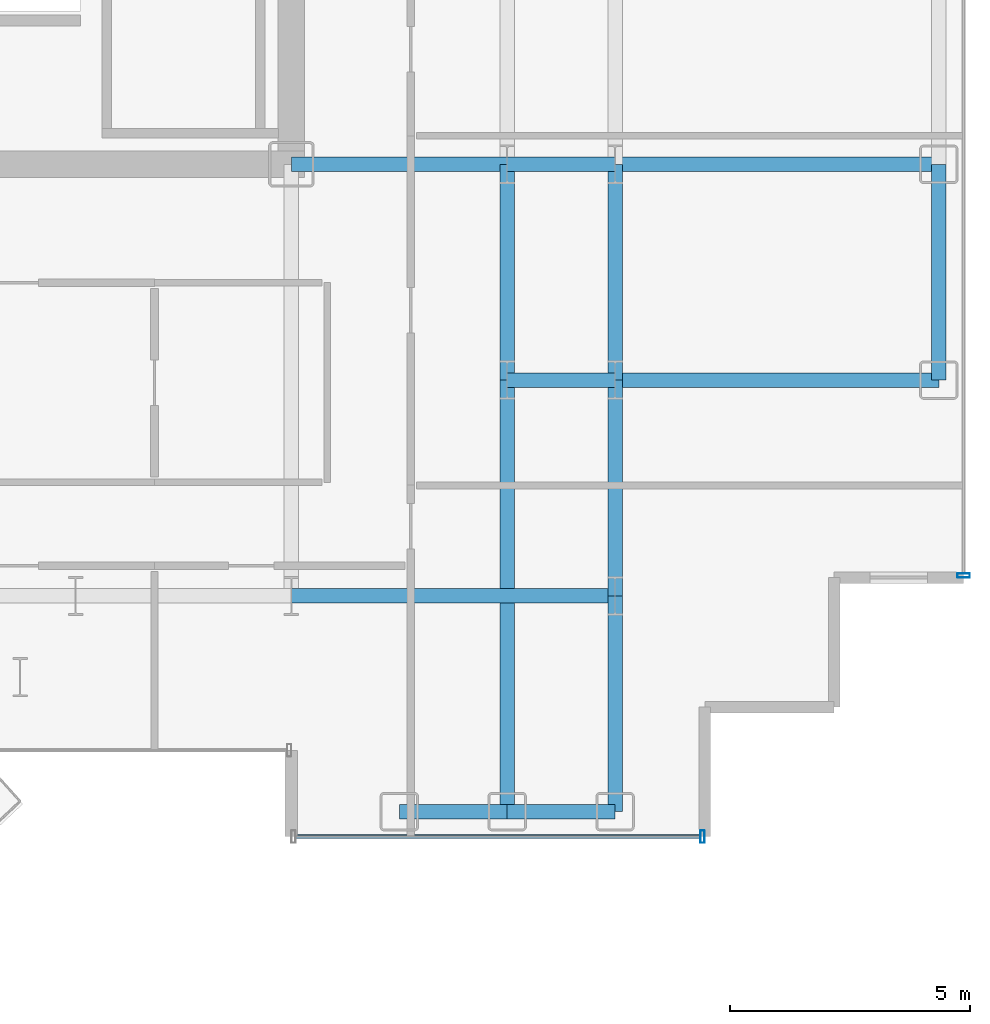
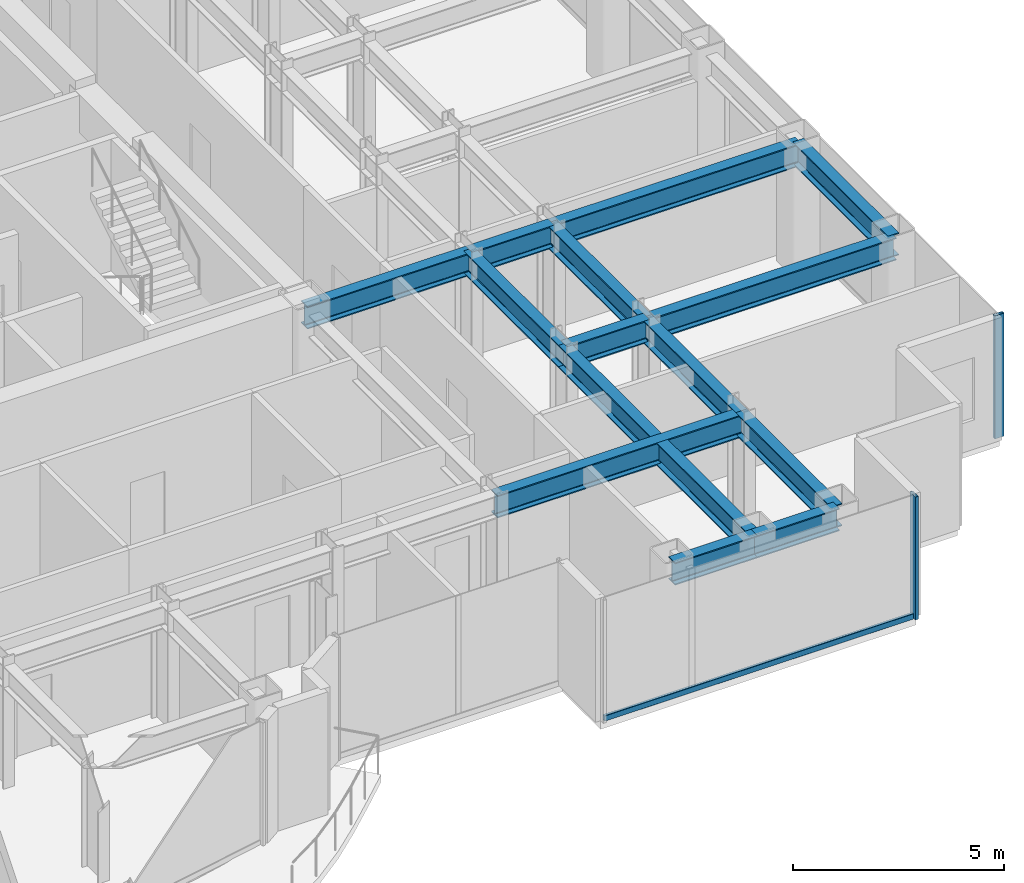
# One storey, part 8 of 23: 14 beams, 3 members, 2 elements without a shape of their own.
"""IFC4 building model written with IfcOpenShell, lengths in metres."""

from ifc_helpers import new_model, si_unit, direction, frame, origin, origin_2d, place, context, subcontext, project, spatial, hollow_rectangle, i_section, extrude, source, transform, mapped, material, layer, layer_set, material_profile, profile_set, type_object, element, aggregate, save


model = new_model("IFC4")

# Units and contexts
model_context = context("Model", 3, precision=1e-05, world=origin(), true_north=direction((0.0, 1.0)))
body_context = subcontext(model_context, "Body", "Model", "MODEL_VIEW")
ifc_project = project(units=[si_unit("LENGTHUNIT", "METRE"), si_unit("AREAUNIT", "SQUARE_METRE"), si_unit("VOLUMEUNIT", "CUBIC_METRE"), si_unit("PLANEANGLEUNIT", "RADIAN"), si_unit("MASSUNIT", "GRAM", prefix="KILO")], contexts=[model_context])

# Site, building, storey
site_placement = place(None, origin())
site = spatial("IfcSite", under=ifc_project, at=site_placement, CompositionType="ELEMENT")
building_placement = place(site_placement, origin())
building = spatial("IfcBuilding", under=site, at=building_placement, Name="Nefas-Gora Pilgrimage Tower", CompositionType="ELEMENT")
storey_placement = place(building_placement, frame((0.0, 0.0, 156.39990234375)))
storey = spatial("IfcBuildingStorey", under=building, at=storey_placement, Name="L38", CompositionType="ELEMENT", Elevation=156.39990234375)

# Beams
ifc_material_1 = material(Name="Steel S355", Category="steel")
ifc_material_profile_1 = material_profile(ifc_material_1, i_section(OverallWidth=0.300048828125, OverallDepth=0.64990234375, WebThickness=0.01611328125, FlangeThickness=0.031005859375, FilletRadius=0.027099609375, at=origin_2d()), Name="HEB 650")
ifc_profile_set_1 = profile_set([ifc_material_profile_1], Name="Steel S355")
beam_type_1 = type_object("IfcBeamType", Name="BM-SPN-HEB500", PredefinedType="SPANDREL", material=ifc_profile_set_1)
shared_shape_1 = source(origin(), body_context, "Body", "SweptSolid", [
    extrude(i_section(OverallWidth=0.300048828125, OverallDepth=0.64990234375, WebThickness=0.01611328125, FlangeThickness=0.031005859375, FilletRadius=0.027099609375, at=origin_2d()), origin(), (0.0, 0.0, 1.0), 4.5),
])
beam_1_placement = place(storey_placement, frame((24.75, -13.5, 3.22509765625), z_axis=(0.0, 1.0, 0.0), x_axis=(-1.0, 0.0, 0.0)))
element("IfcBeam", 1, at=beam_1_placement, inside=storey, type_object=beam_type_1, Name="L38 SP-02 beam", PredefinedType="SPANDREL", context=body_context, shape_type="MappedRepresentation", body=[
    mapped(shared_shape_1, transform((0.0, 0.0, 0.0), x_axis=(1.0, 0.0, 0.0), y_axis=(0.0, 1.0, 0.0), z_axis=(0.0, 0.0, 1.0), scale=1.0)),
])
ifc_material_profile_2 = material_profile(ifc_material_1, i_section(OverallWidth=0.300048828125, OverallDepth=0.64990234375, WebThickness=0.01611328125, FlangeThickness=0.031005859375, FilletRadius=0.027099609375, at=origin_2d()), Name="HEB 650")
ifc_profile_set_2 = profile_set([ifc_material_profile_2], Name="Steel S355")
beam_type_2 = type_object("IfcBeamType", Name="BM-GIR-HEB650", PredefinedType="BEAM", material=ifc_profile_set_2)
shared_shape_2 = source(origin(), body_context, "Body", "SweptSolid", [
    extrude(i_section(OverallWidth=0.300048828125, OverallDepth=0.64990234375, WebThickness=0.01611328125, FlangeThickness=0.031005859375, FilletRadius=0.027099609375, at=origin_2d()), origin(), (0.0, 0.0, 1.0), 9.0),
])
beam_2_placement = place(storey_placement, frame((15.75, -22.5, 3.22509765625), z_axis=(0.0, 1.0, 0.0), x_axis=(-1.0, 0.0, 0.0)))
element("IfcBeam", 2, at=beam_2_placement, inside=storey, type_object=beam_type_2, Name="L38 G-03 beam", PredefinedType="BEAM", context=body_context, shape_type="MappedRepresentation", body=[
    mapped(shared_shape_2, transform((0.0, 0.0, 0.0), x_axis=(1.0, 0.0, 0.0), y_axis=(0.0, 1.0, 0.0), z_axis=(0.0, 0.0, 1.0), scale=1.0)),
])
shared_shape_3 = source(origin(), body_context, "Body", "SweptSolid", [
    extrude(i_section(OverallWidth=0.300048828125, OverallDepth=0.64990234375, WebThickness=0.01611328125, FlangeThickness=0.031005859375, FilletRadius=0.027099609375, at=origin_2d()), origin(), (0.0, 0.0, 1.0), 4.5),
])
for number, where, z_axis, x_axis, name in (
    (3, (11.25, -9.0, 3.22509765625), (1.0, 0.0, 0.0), (0.0, 1.0, 0.0), "L38 G-03 beam"),
    (4, (15.75, -13.5, 3.22509765625), (0.0, 1.0, 0.0), (-1.0, 0.0, 0.0), "L38 G-03 beam"),
    (5, (18.0, -22.5, 3.22509765625), (0.0, 1.0, 0.0), (-1.0, 0.0, 0.0), "L38 G-03 beam"),
    (6, (18.0, -18.0, 3.22509765625), (0.0, 1.0, 0.0), (-1.0, 0.0, 0.0), "L38 G-03 beam"),
    (7, (18.0, -13.5, 3.22509765625), (0.0, 1.0, 0.0), (-1.0, 0.0, 0.0), "L38 G-03 beam"),
):
    element("IfcBeam", number, at=place(storey_placement, frame(where, z_axis=z_axis, x_axis=x_axis)), inside=storey, type_object=beam_type_2, Name=name, PredefinedType="BEAM", context=body_context, shape_type="MappedRepresentation", body=[
        mapped(shared_shape_3, transform((0.0, 0.0, 0.0), x_axis=(1.0, 0.0, 0.0), y_axis=(0.0, 1.0, 0.0), z_axis=(0.0, 0.0, 1.0), scale=1.0)),
    ])
shared_shape_4 = source(origin(), body_context, "Body", "SweptSolid", [
    extrude(i_section(OverallWidth=0.300048828125, OverallDepth=0.64990234375, WebThickness=0.01611328125, FlangeThickness=0.031005859375, FilletRadius=0.027099609375, at=origin_2d()), origin(), (0.0, 0.0, 1.0), 6.75),
])
for number, where, z_axis, x_axis, name in (
    (8, (11.25, -18.0, 3.22509765625), (1.0, 0.0, 0.0), (0.0, 1.0, 0.0), "L38 G-03 beam"),
    (9, (18.0, -13.5, 3.22509765625), (1.0, 0.0, 0.0), (0.0, 1.0, 0.0), "L38 G-03 beam"),
    (10, (18.0, -9.0, 3.22509765625), (1.0, 0.0, 0.0), (0.0, 1.0, 0.0), "L38 G-03 beam"),
):
    element("IfcBeam", number, at=place(storey_placement, frame(where, z_axis=z_axis, x_axis=x_axis)), inside=storey, type_object=beam_type_2, Name=name, PredefinedType="BEAM", context=body_context, shape_type="MappedRepresentation", body=[
        mapped(shared_shape_4, transform((0.0, 0.0, 0.0), x_axis=(1.0, 0.0, 0.0), y_axis=(0.0, 1.0, 0.0), z_axis=(0.0, 0.0, 1.0), scale=1.0)),
    ])
shared_shape_5 = source(origin(), body_context, "Body", "SweptSolid", [
    extrude(i_section(OverallWidth=0.300048828125, OverallDepth=0.64990234375, WebThickness=0.01611328125, FlangeThickness=0.031005859375, FilletRadius=0.027099609375, at=origin_2d()), origin(), (0.0, 0.0, 1.0), 2.25),
])
for number, where, z_axis, x_axis, name in (
    (11, (13.5, -22.5, 3.22509765625), (1.0, 0.0, 0.0), (0.0, 1.0, 0.0), "L38 SP-02 beam"),
    (12, (15.75, -22.5, 3.22509765625), (1.0, 0.0, 0.0), (0.0, 1.0, 0.0), "L38 SP-02 beam"),
):
    element("IfcBeam", number, at=place(storey_placement, frame(where, z_axis=z_axis, x_axis=x_axis)), inside=storey, type_object=beam_type_1, Name=name, PredefinedType="SPANDREL", context=body_context, shape_type="MappedRepresentation", body=[
        mapped(shared_shape_5, transform((0.0, 0.0, 0.0), x_axis=(1.0, 0.0, 0.0), y_axis=(0.0, 1.0, 0.0), z_axis=(0.0, 0.0, 1.0), scale=1.0)),
    ])
shared_shape_6 = source(origin(), body_context, "Body", "SweptSolid", [
    extrude(i_section(OverallWidth=0.300048828125, OverallDepth=0.64990234375, WebThickness=0.01611328125, FlangeThickness=0.031005859375, FilletRadius=0.027099609375, at=origin_2d()), origin(), (0.0, 0.0, 1.0), 2.25),
])
for number, where, z_axis, x_axis, name in (
    (13, (15.75, -13.5, 3.22509765625), (1.0, 0.0, 0.0), (0.0, 1.0, 0.0), "L38 G-03 beam"),
    (14, (15.75, -9.0, 3.22509765625), (1.0, 0.0, 0.0), (0.0, 1.0, 0.0), "L38 G-03 beam"),
):
    element("IfcBeam", number, at=place(storey_placement, frame(where, z_axis=z_axis, x_axis=x_axis)), inside=storey, type_object=beam_type_2, Name=name, PredefinedType="BEAM", context=body_context, shape_type="MappedRepresentation", body=[
        mapped(shared_shape_6, transform((0.0, 0.0, 0.0), x_axis=(1.0, 0.0, 0.0), y_axis=(0.0, 1.0, 0.0), z_axis=(0.0, 0.0, 1.0), scale=1.0)),
    ])

# Curtain wall, member
ifc_material_2 = material(Name="Dark ceramic-fritted solar-control aluminium-glass curtain wall", Category="aluminium")
ifc_layer = layer(ifc_material_2, 0.219970703125)
ifc_layer_set = layer_set([ifc_layer], Name="Dark ceramic-fritted solar-control aluminium-glass curtain wall")
curtain_wall_type = type_object("IfcCurtainWallType", Name="CW-SYS-3", PredefinedType="NOTDEFINED", material=ifc_layer_set)
curtain_wall_1_placement = place(storey_placement, origin())
curtain_wall_1 = element("IfcCurtainWall", 15, at=curtain_wall_1_placement, inside=storey, type_object=curtain_wall_type, Name="L38 Unitised Curtain Wall CW3", PredefinedType="NOTDEFINED")
ifc_material_3 = material(Name="Anodised architectural aluminium", Category="aluminium")
ifc_material_profile_3 = material_profile(ifc_material_3, hollow_rectangle(XDim=0.090087890625, YDim=0.260009765625, WallThickness=0.006103515625, InnerFilletRadius=0.006103515625, OuterFilletRadius=0.011962890625, at=origin_2d()), Name="ALU MULLION 90x260")
ifc_profile_set_3 = profile_set([ifc_material_profile_3], Name="Anodised architectural aluminium")
member_type_1 = type_object("IfcMemberType", Name="CWM-MUL-3", PredefinedType="MULLION", material=ifc_profile_set_3)
shared_shape_7 = source(origin(), body_context, "Body", "SweptSolid", [
    extrude(hollow_rectangle(XDim=0.090087890625, YDim=0.260009765625, WallThickness=0.006103515625, InnerFilletRadius=0.006103515625, OuterFilletRadius=0.011962890625, at=origin_2d()), origin(), (0.0, 0.0, 1.0), 3.550048828125),
])
member_1_placement = place(storey_placement, frame((19.824951171875, -23.02001953125, 0.0), z_axis=(0.0, 0.0, 1.0), x_axis=(1.0, 0.0, 0.0)))
member_1 = element("IfcMember", 16, at=member_1_placement, type_object=member_type_1, Name="CW3 Mullion 2", PredefinedType="MULLION", context=body_context, shape_type="MappedRepresentation", body=[
    mapped(shared_shape_7, transform((0.0, 0.0, 0.0), x_axis=(1.0, 0.0, 0.0), y_axis=(0.0, 1.0, 0.0), z_axis=(0.0, 0.0, 1.0), scale=1.0)),
])

curtain_wall_2_placement = place(storey_placement, origin())
curtain_wall_2 = element("IfcCurtainWall", 17, at=curtain_wall_2_placement, inside=storey, type_object=curtain_wall_type, Name="L38 Unitised Curtain Wall CW3", PredefinedType="NOTDEFINED")
member_2_placement = place(storey_placement, frame((25.27001953125, -17.574951171875, 0.0), z_axis=(0.0, 0.0, 1.0), x_axis=(0.0, 1.0, 0.0)))
member_2 = element("IfcMember", 18, at=member_2_placement, type_object=member_type_1, Name="CW3 Mullion 1", PredefinedType="MULLION", context=body_context, shape_type="MappedRepresentation", body=[
    mapped(shared_shape_7, transform((0.0, 0.0, 0.0), x_axis=(1.0, 0.0, 0.0), y_axis=(0.0, 1.0, 0.0), z_axis=(0.0, 0.0, 1.0), scale=1.0)),
])
aggregate(curtain_wall_2, [member_2])

# Member
ifc_material_profile_4 = material_profile(ifc_material_3, hollow_rectangle(XDim=0.080078125, YDim=0.159912109375, WallThickness=0.00439453125, InnerFilletRadius=0.00439453125, OuterFilletRadius=0.009033203125, at=origin_2d()), Name="ALU TRANSOM 80x160")
ifc_profile_set_4 = profile_set([ifc_material_profile_4], Name="Anodised architectural aluminium")
member_type_2 = type_object("IfcMemberType", Name="CWM-TRN-3", PredefinedType="USERDEFINED", material=ifc_profile_set_4)
shared_shape_8 = source(origin(), body_context, "Body", "SweptSolid", [
    extrude(hollow_rectangle(XDim=0.080078125, YDim=0.159912109375, WallThickness=0.00439453125, InnerFilletRadius=0.00439453125, OuterFilletRadius=0.009033203125, at=origin_2d()), origin(), (0.0, 0.0, 1.0), 8.43994140625),
])
member_3_placement = place(storey_placement, frame((11.340087890625, -23.02001953125, 0.050048828125), z_axis=(1.0, 0.0, 0.0), x_axis=(0.0, 1.0, 0.0)))
member_3 = element("IfcMember", 19, at=member_3_placement, type_object=member_type_2, Name="CW3 Spandrel Transom", ObjectType="TRANSOM", PredefinedType="USERDEFINED", context=body_context, shape_type="MappedRepresentation", body=[
    mapped(shared_shape_8, transform((0.0, 0.0, 0.0), x_axis=(1.0, 0.0, 0.0), y_axis=(0.0, 1.0, 0.0), z_axis=(0.0, 0.0, 1.0), scale=1.0)),
])

aggregate(curtain_wall_1, [member_1, member_3])

save(model, "model.ifc")
